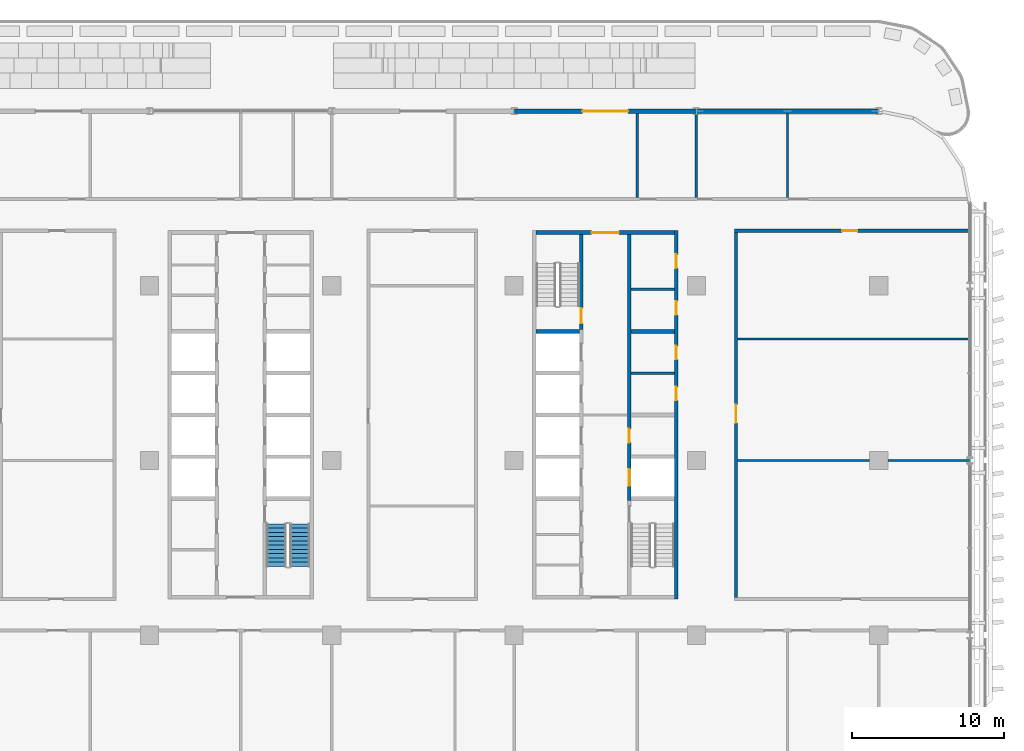
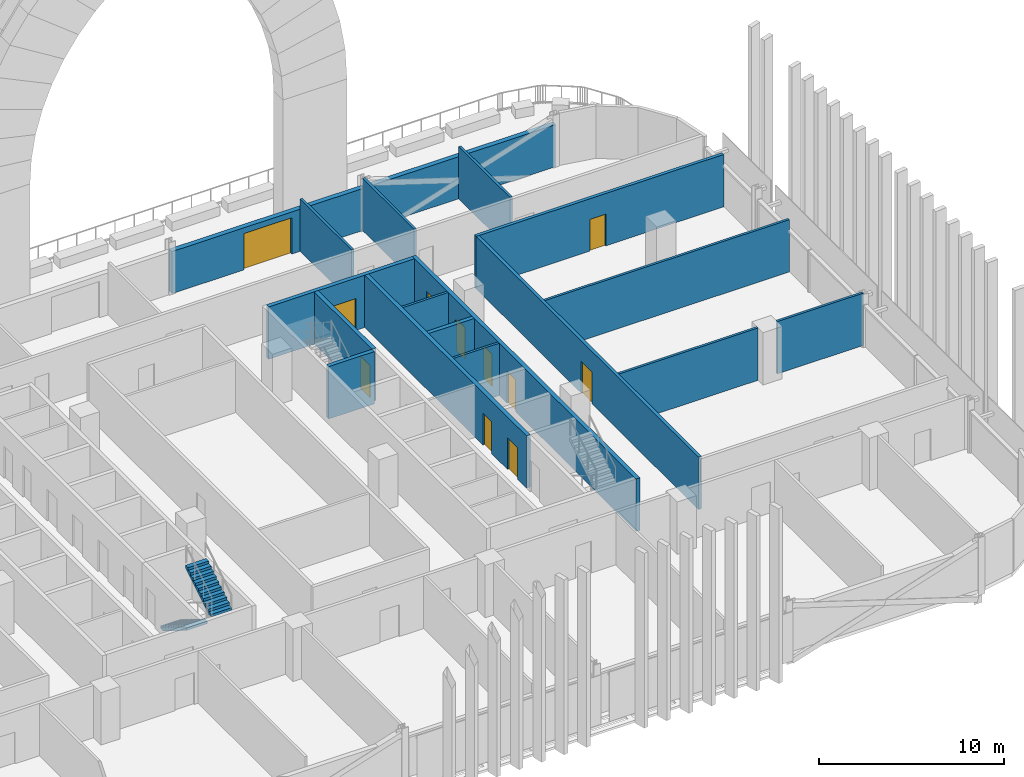
# One storey, part 15 of 30: 18 walls, 11 doors, 2 stair flights, 11 openings, 1 element without a shape of its own.
"""IFC4 building model written with IfcOpenShell, lengths in metres."""

from ifc_helpers import new_model, si_unit, direction, frame, frame_2d, origin, place, context, subcontext, project, spatial, polyline, rectangle, outline, extrude, material, layer, layer_set, type_object, element, fill, aggregate, save


model = new_model("IFC4")

# Units and contexts
model_context = context("Model", 3, precision=1e-05, world=origin(), true_north=direction((0.0, 1.0)))
body_context = subcontext(model_context, "Body", "Model", "MODEL_VIEW")
ifc_project = project(units=[si_unit("LENGTHUNIT", "METRE"), si_unit("AREAUNIT", "SQUARE_METRE"), si_unit("VOLUMEUNIT", "CUBIC_METRE"), si_unit("PLANEANGLEUNIT", "RADIAN"), si_unit("MASSUNIT", "GRAM", prefix="KILO")], contexts=[model_context])

# Site, building, storey
site_placement = place(None, origin())
site = spatial("IfcSite", under=ifc_project, at=site_placement, CompositionType="ELEMENT")
building_placement = place(site_placement, origin())
building = spatial("IfcBuilding", under=site, at=building_placement, Name="Mahtab Terrace Research Tower", CompositionType="ELEMENT")
storey_placement = place(building_placement, frame((0.0, 0.0, 159.199951171875)))
storey = spatial("IfcBuildingStorey", under=building, at=storey_placement, Name="L37", CompositionType="ELEMENT", Elevation=159.199951171875)

# Walls
ifc_material_1 = material(Name="Gypsum board partition")
ifc_layer_1 = layer(ifc_material_1, 0.14990234375)
ifc_layer_set_1 = layer_set([ifc_layer_1], Name="Core partition 150")
wall_type_1 = type_object("IfcWallType", Name="Core partition 150", PredefinedType="PARTITIONING", material=ifc_layer_set_1)
for number, where, z_axis, x_axis, name in (
    (1, (25.699951171875, 5.75, 0.0), (0.0, 0.0, 1.0), (1.0, 0.0, 0.0), "Core wall C pEL275"),
    (2, (25.699951171875, 11.27490234375, 0.0), (0.0, 0.0, 1.0), (1.0, 0.0, 0.0), "Core wall C pEN828"),
):
    element("IfcWall", number, at=place(storey_placement, frame(where, z_axis=z_axis, x_axis=x_axis)), inside=storey, type_object=wall_type_1, Name=name, PredefinedType="PARTITIONING", context=body_context, shape_type="SweptSolid", body=[
        extrude(rectangle(XDim=2.85009765625, YDim=0.14990234375, at=frame_2d((1.425048828125, 0.0))), origin(), (0.0, 0.0, 1.0), 3.4599609375),
    ])

# Wall, openings, doors
ifc_material_2 = material(Name="Concrete C70/85", Category="concrete")
ifc_layer_2 = layer(ifc_material_2, 0.25)
ifc_layer_set_2 = layer_set([ifc_layer_2], Name="Core wall 250")
wall_type_2 = type_object("IfcWallType", Name="Core wall 250", PredefinedType="SOLIDWALL", material=ifc_layer_set_2)
wall_1_placement = place(storey_placement, frame((28.675048828125, -9.125, 0.0), z_axis=(0.0, 0.0, 1.0), x_axis=(0.0, 1.0, 0.0)))
wall_1 = element("IfcWall", 3, at=wall_1_placement, inside=storey, type_object=wall_type_2, Name="Core wall C outerE", PredefinedType="SOLIDWALL", context=body_context, shape_type="SweptSolid", body=[
    extrude(rectangle(XDim=24.25, YDim=0.25, at=frame_2d((12.125, 0.0))), origin(), (0.0, 0.0, 1.0), 3.4599609375),
])
opening_1_placement = place(wall_1_placement, frame((13.074951171875, 0.0, 0.0)))
opening_1 = element("IfcOpeningElement", 4, at=opening_1_placement, cuts=wall_1, Name="Opening C-R2", PredefinedType="OPENING", context=body_context, shape_type="SweptSolid", body=[
    extrude(rectangle(XDim=0.89990234375, YDim=2.10009765625, at=frame_2d((0.449951171875, 1.050048828125))), frame((0.0, 0.135009765625, 0.0), z_axis=(0.0, -1.0, 0.0), x_axis=(1.0, 0.0, 0.0)), (0.0, 0.0, 1.0), 0.27001953125),
])
opening_2_placement = place(wall_1_placement, frame((15.77490234375, 0.0, 0.0)))
opening_2 = element("IfcOpeningElement", 5, at=opening_2_placement, cuts=wall_1, Name="Opening C-R3", PredefinedType="OPENING", context=body_context, shape_type="SweptSolid", body=[
    extrude(rectangle(XDim=0.89990234375, YDim=2.10009765625, at=frame_2d((0.449951171875, 1.050048828125))), frame((0.0, 0.135009765625, 0.0), z_axis=(0.0, -1.0, 0.0), x_axis=(1.0, 0.0, 0.0)), (0.0, 0.0, 1.0), 0.27001953125),
])
opening_3_placement = place(wall_1_placement, frame((18.71240234375, 0.0, 0.0)))
opening_3 = element("IfcOpeningElement", 6, at=opening_3_placement, cuts=wall_1, Name="Opening C-R7", PredefinedType="OPENING", context=body_context, shape_type="SweptSolid", body=[
    extrude(rectangle(XDim=0.89990234375, YDim=2.10009765625, at=frame_2d((0.449951171875, 1.050048828125))), frame((0.0, 0.135009765625, 0.0), z_axis=(0.0, -1.0, 0.0), x_axis=(1.0, 0.0, 0.0)), (0.0, 0.0, 1.0), 0.27001953125),
])
opening_4_placement = place(wall_1_placement, frame((21.78759765625, 0.0, 0.0)))
opening_4 = element("IfcOpeningElement", 7, at=opening_4_placement, cuts=wall_1, Name="Opening C-R8", PredefinedType="OPENING", context=body_context, shape_type="SweptSolid", body=[
    extrude(rectangle(XDim=0.89990234375, YDim=2.10009765625, at=frame_2d((0.449951171875, 1.050048828125))), frame((0.0, 0.135009765625, 0.0), z_axis=(0.0, -1.0, 0.0), x_axis=(1.0, 0.0, 0.0)), (0.0, 0.0, 1.0), 0.27001953125),
])
ifc_material_3 = material(Name="Steel fire door", Category="steel")
door_type_1 = type_object("IfcDoorType", Name="Room door 900x2100 1 HR", OperationType="NOTDEFINED", PredefinedType="DOOR", material=ifc_material_3)
door_1_placement = place(opening_1_placement, origin())
door_1 = element("IfcDoor", 8, at=door_1_placement, inside=storey, type_object=door_type_1, Name="Document store door", OperationType="SINGLE_SWING_RIGHT", OverallHeight=2.10009765625, OverallWidth=0.89990234375, PredefinedType="DOOR", context=body_context, shape_type="SweptSolid", body=[
    extrude(rectangle(XDim=0.89990234375, YDim=2.10009765625, at=frame_2d((0.449951171875, 1.050048828125))), frame((0.0, 0.02490234375, 0.0), z_axis=(0.0, -1.0, 0.0), x_axis=(1.0, 0.0, 0.0)), (0.0, 0.0, 1.0), 0.050048828125),
])
fill(opening_1, door_1)
door_2_placement = place(opening_2_placement, origin())
door_2 = element("IfcDoor", 9, at=door_2_placement, inside=storey, type_object=door_type_1, Name="IT equipment room door", OperationType="SINGLE_SWING_LEFT", OverallHeight=2.10009765625, OverallWidth=0.89990234375, PredefinedType="DOOR", context=body_context, shape_type="SweptSolid", body=[
    extrude(rectangle(XDim=0.89990234375, YDim=2.10009765625, at=frame_2d((0.449951171875, 1.050048828125))), frame((0.0, 0.02490234375, 0.0), z_axis=(0.0, -1.0, 0.0), x_axis=(1.0, 0.0, 0.0)), (0.0, 0.0, 1.0), 0.050048828125),
])
fill(opening_2, door_2)
door_3_placement = place(opening_3_placement, origin())
door_3 = element("IfcDoor", 10, at=door_3_placement, inside=storey, type_object=door_type_1, Name="Mechanical riser room door", OperationType="SINGLE_SWING_LEFT", OverallHeight=2.10009765625, OverallWidth=0.89990234375, PredefinedType="DOOR", context=body_context, shape_type="SweptSolid", body=[
    extrude(rectangle(XDim=0.89990234375, YDim=2.10009765625, at=frame_2d((0.449951171875, 1.050048828125))), frame((0.0, 0.02490234375, 0.0), z_axis=(0.0, -1.0, 0.0), x_axis=(1.0, 0.0, 0.0)), (0.0, 0.0, 1.0), 0.050048828125),
])
fill(opening_3, door_3)
door_4_placement = place(opening_4_placement, origin())
door_4 = element("IfcDoor", 11, at=door_4_placement, inside=storey, type_object=door_type_1, Name="Chemical store door", OperationType="SINGLE_SWING_RIGHT", OverallHeight=2.10009765625, OverallWidth=0.89990234375, PredefinedType="DOOR", context=body_context, shape_type="SweptSolid", body=[
    extrude(rectangle(XDim=0.89990234375, YDim=2.10009765625, at=frame_2d((0.449951171875, 1.050048828125))), frame((0.0, 0.02490234375, 0.0), z_axis=(0.0, -1.0, 0.0), x_axis=(1.0, 0.0, 0.0)), (0.0, 0.0, 1.0), 0.050048828125),
])
fill(opening_4, door_4)

# Wall, opening, door
wall_2_placement = place(storey_placement, frame((19.449951171875, 15.0, 0.0), z_axis=(0.0, 0.0, 1.0), x_axis=(1.0, 0.0, 0.0)))
wall_2 = element("IfcWall", 12, at=wall_2_placement, inside=storey, type_object=wall_type_2, Name="Core wall C endN", PredefinedType="SOLIDWALL", context=body_context, shape_type="SweptSolid", body=[
    extrude(rectangle(XDim=9.10009765625, YDim=0.25, at=frame_2d((4.550048828125, 0.0))), origin(), (0.0, 0.0, 1.0), 3.4599609375),
])
opening_5_placement = place(wall_2_placement, frame((3.64990234375, 0.0, 0.0)))
opening_5 = element("IfcOpeningElement", 13, at=opening_5_placement, cuts=wall_2, Name="Opening C-N1", PredefinedType="OPENING", context=body_context, shape_type="SweptSolid", body=[
    extrude(rectangle(XDim=1.800048828125, YDim=2.10009765625, at=frame_2d((0.89990234375, 1.050048828125))), frame((0.0, 0.135009765625, 0.0), z_axis=(0.0, -1.0, 0.0), x_axis=(1.0, 0.0, 0.0)), (0.0, 0.0, 1.0), 0.27001953125),
])
door_type_2 = type_object("IfcDoorType", Name="Lobby double door 1800x2100 1 HR", OperationType="DOUBLE_DOOR_SINGLE_SWING", PredefinedType="DOOR", material=ifc_material_3)
door_5_placement = place(opening_5_placement, origin())
door_5 = element("IfcDoor", 14, at=door_5_placement, inside=storey, type_object=door_type_2, Name="Core entrance door C N", OperationType="DOUBLE_DOOR_SINGLE_SWING", OverallHeight=2.10009765625, OverallWidth=1.800048828125, PredefinedType="DOOR", context=body_context, shape_type="SweptSolid", body=[
    extrude(rectangle(XDim=1.800048828125, YDim=2.10009765625, at=frame_2d((0.89990234375, 1.050048828125))), frame((0.0, 0.02490234375, 0.0), z_axis=(0.0, -1.0, 0.0), x_axis=(1.0, 0.0, 0.0)), (0.0, 0.0, 1.0), 0.050048828125),
])
fill(opening_5, door_5)

wall_3_placement = place(storey_placement, frame((22.425048828125, 14.875, 0.0), z_axis=(0.0, 0.0, 1.0), x_axis=(0.0, -1.0, 0.0)))
wall_3 = element("IfcWall", 15, at=wall_3_placement, inside=storey, type_object=wall_type_2, Name="Core wall C innerWN", PredefinedType="SOLIDWALL", context=body_context, shape_type="SweptSolid", body=[
    extrude(rectangle(XDim=6.25, YDim=0.25, at=frame_2d((3.125, 0.0))), origin(), (0.0, 0.0, 1.0), 3.4599609375),
])
opening_6_placement = place(wall_3_placement, frame((4.85009765625, 0.0, 0.0)))
opening_6 = element("IfcOpeningElement", 16, at=opening_6_placement, cuts=wall_3, Name="Opening C-ST3", PredefinedType="OPENING", context=body_context, shape_type="SweptSolid", body=[
    extrude(rectangle(XDim=1.0, YDim=2.10009765625, at=frame_2d((0.5, 1.050048828125))), frame((0.0, 0.135009765625, 0.0), z_axis=(0.0, -1.0, 0.0), x_axis=(1.0, 0.0, 0.0)), (0.0, 0.0, 1.0), 0.27001953125),
])
door_type_3 = type_object("IfcDoorType", Name="Stair door 1000x2100 1.5 HR", OperationType="NOTDEFINED", PredefinedType="DOOR", material=ifc_material_3)
door_6_placement = place(opening_6_placement, origin())
door_6 = element("IfcDoor", 17, at=door_6_placement, inside=storey, type_object=door_type_3, Name="Stair door ST3 L37", OperationType="SINGLE_SWING_LEFT", OverallHeight=2.10009765625, OverallWidth=1.0, PredefinedType="DOOR", context=body_context, shape_type="SweptSolid", body=[
    extrude(rectangle(XDim=1.0, YDim=2.10009765625, at=frame_2d((0.5, 1.050048828125))), frame((0.0, 0.02490234375, 0.0), z_axis=(0.0, -1.0, 0.0), x_axis=(1.0, 0.0, 0.0)), (0.0, 0.0, 1.0), 0.050048828125),
])
fill(opening_6, door_6)

# Wall, openings, doors
wall_4_placement = place(storey_placement, frame((25.574951171875, 14.875, 0.0), z_axis=(0.0, 0.0, 1.0), x_axis=(0.0, -1.0, 0.0)))
wall_4 = element("IfcWall", 18, at=wall_4_placement, inside=storey, type_object=wall_type_2, Name="Core wall C innerELN", PredefinedType="SOLIDWALL", context=body_context, shape_type="SweptSolid", body=[
    extrude(rectangle(XDim=17.5, YDim=0.25, at=frame_2d((8.75, 0.0))), origin(), (0.0, 0.0, 1.0), 3.4599609375),
])
opening_7_placement = place(wall_4_placement, frame((15.449951171875, 0.0, 0.0)))
opening_7 = element("IfcOpeningElement", 19, at=opening_7_placement, cuts=wall_4, Name="Opening LD21-L37", PredefinedType="OPENING", context=body_context, shape_type="SweptSolid", body=[
    extrude(rectangle(XDim=1.10009765625, YDim=2.10009765625, at=frame_2d((0.550048828125, 1.050048828125))), frame((0.0, 0.135009765625, 0.0), z_axis=(0.0, -1.0, 0.0), x_axis=(1.0, 0.0, 0.0)), (0.0, 0.0, 1.0), 0.27001953125),
])
opening_8_placement = place(wall_4_placement, frame((12.800048828125, 0.0, 0.0)))
opening_8 = element("IfcOpeningElement", 20, at=opening_8_placement, cuts=wall_4, Name="Opening C-R1", PredefinedType="OPENING", context=body_context, shape_type="SweptSolid", body=[
    extrude(rectangle(XDim=0.89990234375, YDim=2.10009765625, at=frame_2d((0.449951171875, 1.050048828125))), frame((0.0, 0.135009765625, 0.0), z_axis=(0.0, -1.0, 0.0), x_axis=(1.0, 0.0, 0.0)), (0.0, 0.0, 1.0), 0.27001953125),
])
ifc_material_4 = material(Name="Stainless steel AISI 304", Category="steel")
door_type_4 = type_object("IfcDoorType", Name="Landing door 1100x2100", OperationType="DOUBLE_DOOR_SLIDING", PredefinedType="DOOR", material=ifc_material_4)
door_7_placement = place(opening_7_placement, origin())
door_7 = element("IfcDoor", 21, at=door_7_placement, inside=storey, type_object=door_type_4, Name="Landing door SV3 L37", OperationType="DOUBLE_DOOR_SLIDING", OverallHeight=2.10009765625, OverallWidth=1.10009765625, PredefinedType="DOOR", context=body_context, shape_type="SweptSolid", body=[
    extrude(rectangle(XDim=1.10009765625, YDim=2.10009765625, at=frame_2d((0.550048828125, 1.050048828125))), frame((0.0, 0.02490234375, 0.0), z_axis=(0.0, -1.0, 0.0), x_axis=(1.0, 0.0, 0.0)), (0.0, 0.0, 1.0), 0.050048828125),
])
fill(opening_7, door_7)
door_8_placement = place(opening_8_placement, origin())
door_8 = element("IfcDoor", 22, at=door_8_placement, inside=storey, type_object=door_type_1, Name="Plant room door", OperationType="SINGLE_SWING_LEFT", OverallHeight=2.10009765625, OverallWidth=0.89990234375, PredefinedType="DOOR", context=body_context, shape_type="SweptSolid", body=[
    extrude(rectangle(XDim=0.89990234375, YDim=2.10009765625, at=frame_2d((0.449951171875, 1.050048828125))), frame((0.0, 0.02490234375, 0.0), z_axis=(0.0, -1.0, 0.0), x_axis=(1.0, 0.0, 0.0)), (0.0, 0.0, 1.0), 0.050048828125),
])
fill(opening_8, door_8)

# Walls
for number, where, z_axis, x_axis, name in (
    (23, (19.449951171875, 8.5, 0.0), (0.0, 0.0, 1.0), (1.0, 0.0, 0.0), "Core wall C divW4"),
    (24, (25.699951171875, 8.5, 0.0), (0.0, 0.0, 1.0), (1.0, 0.0, 0.0), "Core wall C divE4"),
):
    element("IfcWall", number, at=place(storey_placement, frame(where, z_axis=z_axis, x_axis=x_axis)), inside=storey, type_object=wall_type_2, Name=name, PredefinedType="SOLIDWALL", context=body_context, shape_type="SweptSolid", body=[
        extrude(rectangle(XDim=2.85009765625, YDim=0.25, at=frame_2d((1.425048828125, 0.0))), origin(), (0.0, 0.0, 1.0), 3.4599609375),
    ])
ifc_material_5 = material(Name="Black aluminium cladding panel", Category="aluminium")
ifc_layer_3 = layer(ifc_material_5, 0.300048828125)
ifc_layer_set_3 = layer_set([ifc_layer_3], Name="Opaque facade wall 300")
wall_type_3 = type_object("IfcWallType", Name="Opaque facade wall 300", PredefinedType="NOTDEFINED", material=ifc_layer_set_3)
wall_5_placement = place(storey_placement, frame((41.985107421875, 23.0, 0.0), z_axis=(0.0, 0.0, 1.0), x_axis=(-1.0, 0.0, 0.0)))
element("IfcWall", 25, at=wall_5_placement, inside=storey, type_object=wall_type_3, Name="Opaque facade wall L37 N3", PredefinedType="NOTDEFINED", context=body_context, shape_type="SweptSolid", body=[
    extrude(rectangle(XDim=11.97021484375, YDim=0.300048828125, at=frame_2d((5.985107421875, 0.0))), origin(), (0.0, 0.0, 1.0), 2.78173828125),
])

# Wall, opening, door
wall_6_placement = place(storey_placement, frame((29.985107421875, 23.0, 0.0), z_axis=(0.0, 0.0, 1.0), x_axis=(-1.0, 0.0, 0.0)))
wall_6 = element("IfcWall", 26, at=wall_6_placement, inside=storey, type_object=wall_type_3, Name="Opaque facade wall L37 N4", PredefinedType="NOTDEFINED", context=body_context, shape_type="SweptSolid", body=[
    extrude(rectangle(XDim=11.97021484375, YDim=0.300048828125, at=frame_2d((5.985107421875, 0.0))), origin(), (0.0, 0.0, 1.0), 2.78173828125),
])
opening_9_placement = place(wall_6_placement, frame((4.485107421875, 0.0, 0.0)))
opening_9 = element("IfcOpeningElement", 27, at=opening_9_placement, cuts=wall_6, Name="Opening ED1", PredefinedType="OPENING", context=body_context, shape_type="SweptSolid", body=[
    extrude(rectangle(XDim=3.0, YDim=2.39990234375, at=frame_2d((1.5, 1.199951171875))), frame((0.0, 0.159912109375, 0.0), z_axis=(0.0, -1.0, 0.0), x_axis=(1.0, 0.0, 0.0)), (0.0, 0.0, 1.0), 0.320068359375),
])
ifc_material_6 = material(Name="Black anodised aluminium", Category="aluminium")
door_type_5 = type_object("IfcDoorType", Name="Terrace double door 3000x2400", OperationType="DOUBLE_DOOR_DOUBLE_SWING", PredefinedType="DOOR", material=ifc_material_6)
door_9_placement = place(opening_9_placement, origin())
door_9 = element("IfcDoor", 28, at=door_9_placement, inside=storey, type_object=door_type_5, Name="Terrace door L37 N", OperationType="SINGLE_SWING_LEFT", OverallHeight=2.39990234375, OverallWidth=3.0, PredefinedType="DOOR", context=body_context, shape_type="SweptSolid", body=[
    extrude(rectangle(XDim=3.0, YDim=2.39990234375, at=frame_2d((1.5, 1.199951171875))), frame((0.0, 0.02490234375, 0.0), z_axis=(0.0, -1.0, 0.0), x_axis=(1.0, 0.0, 0.0)), (0.0, 0.0, 1.0), 0.050048828125),
])
fill(opening_9, door_9)

ifc_material_7 = material(Name="Gypsum board corridor wall on steel studs", Category="steel")
ifc_layer_4 = layer(ifc_material_7, 0.199951171875)
ifc_layer_set_4 = layer_set([ifc_layer_4], Name="WALL CORRIDOR 200")
wall_type_4 = type_object("IfcWallType", Name="WALL CORRIDOR 200", PredefinedType="PARTITIONING", material=ifc_layer_set_4)
wall_7_placement = place(storey_placement, frame((32.5, 15.125, 0.0), z_axis=(0.0, 0.0, 1.0), x_axis=(1.0, 0.0, 0.0)))
wall_7 = element("IfcWall", 29, at=wall_7_placement, inside=storey, type_object=wall_type_4, Name="L37-W027", PredefinedType="PARTITIONING", context=body_context, shape_type="SweptSolid", body=[
    extrude(rectangle(XDim=15.47509765625, YDim=0.199951171875, at=frame_2d((7.737548828125, 0.0))), origin(), (0.0, 0.0, 1.0), 3.4599609375),
])
opening_10_placement = place(wall_7_placement, frame((7.10009765625, 0.0, 0.0)))
opening_10 = element("IfcOpeningElement", 30, at=opening_10_placement, cuts=wall_7, Name="Opening L37-124", PredefinedType="OPENING", context=body_context, shape_type="SweptSolid", body=[
    extrude(rectangle(XDim=1.0, YDim=2.10009765625, at=frame_2d((0.5, 1.050048828125))), frame((0.0, 0.10986328125, 0.0), z_axis=(0.0, -1.0, 0.0), x_axis=(1.0, 0.0, 0.0)), (0.0, 0.0, 1.0), 0.219970703125),
])
ifc_material_8 = material(Name="Timber door leaf in steel frame", Category="steel")
door_type_6 = type_object("IfcDoorType", Name="DOOR 1000X2100 FD30S", OperationType="SINGLE_SWING_LEFT", PredefinedType="DOOR", material=ifc_material_8)
door_10_placement = place(opening_10_placement, origin())
door_10 = element("IfcDoor", 31, at=door_10_placement, inside=storey, type_object=door_type_6, Name="Door L37-124", OperationType="SINGLE_SWING_RIGHT", OverallHeight=2.10009765625, OverallWidth=1.0, PredefinedType="DOOR", context=body_context, shape_type="SweptSolid", body=[
    extrude(rectangle(XDim=1.0, YDim=2.10009765625, at=frame_2d((0.5, 1.050048828125))), frame((0.0, 0.02490234375, 0.0), z_axis=(0.0, -1.0, 0.0), x_axis=(1.0, 0.0, 0.0)), (0.0, 0.0, 1.0), 0.050048828125),
])
fill(opening_10, door_10)

wall_8_placement = place(storey_placement, frame((32.60009765625, -9.02490234375, 0.0), z_axis=(0.0, 0.0, 1.0), x_axis=(0.0, 1.0, 0.0)))
wall_8 = element("IfcWall", 32, at=wall_8_placement, inside=storey, type_object=wall_type_4, Name="L37-W057", PredefinedType="PARTITIONING", context=body_context, shape_type="SweptSolid", body=[
    extrude(rectangle(XDim=24.0498046875, YDim=0.199951171875, at=frame_2d((12.02490234375, 0.0))), origin(), (0.0, 0.0, 1.0), 3.4599609375),
])
opening_11_placement = place(wall_8_placement, frame((11.5, 0.0, 0.0)))
opening_11 = element("IfcOpeningElement", 33, at=opening_11_placement, cuts=wall_8, Name="Opening L37-122", PredefinedType="OPENING", context=body_context, shape_type="SweptSolid", body=[
    extrude(rectangle(XDim=1.199951171875, YDim=2.10009765625, at=frame_2d((0.60009765625, 1.050048828125))), frame((0.0, 0.10986328125, 0.0), z_axis=(0.0, -1.0, 0.0), x_axis=(1.0, 0.0, 0.0)), (0.0, 0.0, 1.0), 0.219970703125),
])
door_type_7 = type_object("IfcDoorType", Name="DOOR 1200X2100 FD30S", OperationType="SINGLE_SWING_LEFT", PredefinedType="DOOR", material=ifc_material_8)
door_11_placement = place(opening_11_placement, origin())
door_11 = element("IfcDoor", 34, at=door_11_placement, inside=storey, type_object=door_type_7, Name="Door L37-122", OperationType="SINGLE_SWING_LEFT", OverallHeight=2.10009765625, OverallWidth=1.199951171875, PredefinedType="DOOR", context=body_context, shape_type="SweptSolid", body=[
    extrude(rectangle(XDim=1.199951171875, YDim=2.10009765625, at=frame_2d((0.60009765625, 1.050048828125))), frame((0.0, 0.02490234375, 0.0), z_axis=(0.0, -1.0, 0.0), x_axis=(1.0, 0.0, 0.0)), (0.0, 0.0, 1.0), 0.050048828125),
])
fill(opening_11, door_11)

# Walls
ifc_material_9 = material(Name="Gypsum board partition on steel studs", Category="steel")
ifc_layer_5 = layer(ifc_material_9, 0.14990234375)
ifc_layer_set_5 = layer_set([ifc_layer_5], Name="WALL PARTITION 150")
wall_type_5 = type_object("IfcWallType", Name="WALL PARTITION 150", PredefinedType="PARTITIONING", material=ifc_layer_set_5)
wall_9_placement = place(storey_placement, frame((32.699951171875, 0.0, 0.0), z_axis=(0.0, 0.0, 1.0), x_axis=(1.0, 0.0, 0.0)))
element("IfcWall", 35, at=wall_9_placement, inside=storey, type_object=wall_type_5, Name="L37-W017", PredefinedType="PARTITIONING", context=body_context, shape_type="SweptSolid", body=[
    extrude(rectangle(XDim=8.699951171875, YDim=0.14990234375, at=frame_2d((4.35009765625, 0.0))), origin(), (0.0, 0.0, 1.0), 3.4599609375),
])
wall_10_placement = place(storey_placement, frame((42.60009765625, 0.0, 0.0), z_axis=(0.0, 0.0, 1.0), x_axis=(1.0, 0.0, 0.0)))
element("IfcWall", 36, at=wall_10_placement, inside=storey, type_object=wall_type_5, Name="L37-W018", PredefinedType="PARTITIONING", context=body_context, shape_type="SweptSolid", body=[
    extrude(rectangle(XDim=5.375, YDim=0.14990234375, at=frame_2d((2.6875, 0.0))), origin(), (0.0, 0.0, 1.0), 3.4599609375),
])
wall_11_placement = place(storey_placement, frame((32.699951171875, 8.0, 0.0), z_axis=(0.0, 0.0, 1.0), x_axis=(1.0, 0.0, 0.0)))
element("IfcWall", 37, at=wall_11_placement, inside=storey, type_object=wall_type_5, Name="L37-W020", PredefinedType="PARTITIONING", context=body_context, shape_type="SweptSolid", body=[
    extrude(rectangle(XDim=15.275146484375, YDim=0.14990234375, at=frame_2d((7.6376953125, 0.0))), origin(), (0.0, 0.0, 1.0), 3.4599609375),
])
for number, where, z_axis, x_axis, name in (
    (38, (26.10009765625, 17.300048828125, 0.0), (0.0, 0.0, 1.0), (0.0, 1.0, 0.0), "L37-W055"),
    (39, (30.0, 17.300048828125, 0.0), (0.0, 0.0, 1.0), (0.0, 1.0, 0.0), "L37-W056"),
    (40, (36.0, 17.300048828125, 0.0), (0.0, 0.0, 1.0), (0.0, 1.0, 0.0), "L37-W059"),
):
    element("IfcWall", number, at=place(storey_placement, frame(where, z_axis=z_axis, x_axis=x_axis)), inside=storey, type_object=wall_type_5, Name=name, PredefinedType="PARTITIONING", context=body_context, shape_type="SweptSolid", body=[
        extrude(rectangle(XDim=5.550048828125, YDim=0.14990234375, at=frame_2d((2.77490234375, 0.0))), origin(), (0.0, 0.0, 1.0), 3.4599609375),
    ])

# Stair, stair flights
ifc_material_10 = material(Name="Exit stair half-turn")
stair_type = type_object("IfcStairType", Name="Exit stair half-turn", PredefinedType="HALF_TURN_STAIR", material=ifc_material_10)
stair_placement = place(storey_placement, origin())
stair = element("IfcStair", 41, at=stair_placement, inside=storey, type_object=stair_type, Name="L37 Protected exit stair ST2", PredefinedType="HALF_TURN_STAIR")
ifc_material_11 = material(Name="Concrete C40/50", Category="concrete")
stair_flight_type = type_object("IfcStairFlightType", Name="Exit stair flight 1300", PredefinedType="STRAIGHT", material=ifc_material_11)
stair_flight_1_placement = place(storey_placement, frame((2.35009765625, -4.175048828125, 0.0), z_axis=(0.0, 0.0, 1.0), x_axis=(0.0, -1.0, 0.0)))
stair_flight_1 = element("IfcStairFlight", 42, at=stair_flight_1_placement, type_object=stair_flight_type, Name="ST2 flight 1", NumberOfRisers=11, NumberOfTreads=10, PredefinedType="STRAIGHT", RiserHeight=0.172727273, TreadLength=0.28, context=body_context, shape_type="SweptSolid", body=[
    extrude(outline(polyline([(0.0, 0.0), (0.0, 0.172607421875), (0.280029296875, 0.172607421875), (0.280029296875, 0.345458984375), (0.56005859375, 0.345458984375), (0.56005859375, 0.51806640625), (0.840087890625, 0.51806640625), (0.840087890625, 0.69091796875), (1.1201171875, 0.69091796875), (1.1201171875, 0.863525390625), (1.39990234375, 0.863525390625), (1.39990234375, 1.036376953125), (1.679931640625, 1.036376953125), (1.679931640625, 1.208984375), (1.9599609375, 1.208984375), (1.9599609375, 1.3818359375), (2.239990234375, 1.3818359375), (2.239990234375, 1.554443359375), (2.52001953125, 1.554443359375), (2.52001953125, 1.727294921875), (2.800048828125, 1.727294921875), (2.800048828125, 1.89990234375), (2.800048828125, 1.551025390625), (0.285400390625, 0.0), (0.0, 0.0)])), frame((0.0, 0.64990234375, 0.0), z_axis=(0.0, -1.0, 0.0), x_axis=(1.0, 0.0, 0.0)), (0.0, 0.0, 1.0), 1.300048828125),
])
stair_flight_2_placement = place(storey_placement, frame((3.89990234375, -6.97509765625, 1.900146484375), z_axis=(0.0, 0.0, 1.0), x_axis=(0.0, 1.0, 0.0)))
stair_flight_2 = element("IfcStairFlight", 43, at=stair_flight_2_placement, type_object=stair_flight_type, Name="ST2 flight 2", NumberOfRisers=11, NumberOfTreads=10, PredefinedType="STRAIGHT", RiserHeight=0.172727273, TreadLength=0.28, context=body_context, shape_type="SweptSolid", body=[
    extrude(outline(polyline([(0.0, 0.0), (0.0, 0.172607421875), (0.280029296875, 0.172607421875), (0.280029296875, 0.345458984375), (0.56005859375, 0.345458984375), (0.56005859375, 0.51806640625), (0.840087890625, 0.51806640625), (0.840087890625, 0.69091796875), (1.1201171875, 0.69091796875), (1.1201171875, 0.863525390625), (1.39990234375, 0.863525390625), (1.39990234375, 1.036376953125), (1.679931640625, 1.036376953125), (1.679931640625, 1.208984375), (1.9599609375, 1.208984375), (1.9599609375, 1.3818359375), (2.239990234375, 1.3818359375), (2.239990234375, 1.554443359375), (2.52001953125, 1.554443359375), (2.52001953125, 1.727294921875), (2.800048828125, 1.727294921875), (2.800048828125, 1.89990234375), (2.800048828125, 1.551025390625), (0.285400390625, 0.0), (0.0, 0.0)])), frame((0.0, 0.64990234375, 0.0), z_axis=(0.0, -1.0, 0.0), x_axis=(1.0, 0.0, 0.0)), (0.0, 0.0, 1.0), 1.300048828125),
])
aggregate(stair, [stair_flight_1, stair_flight_2])

save(model, "model.ifc")
